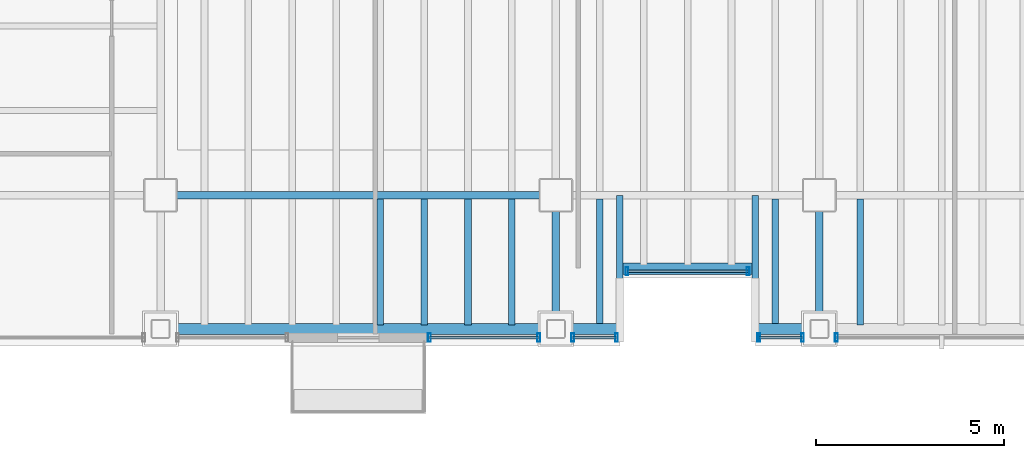
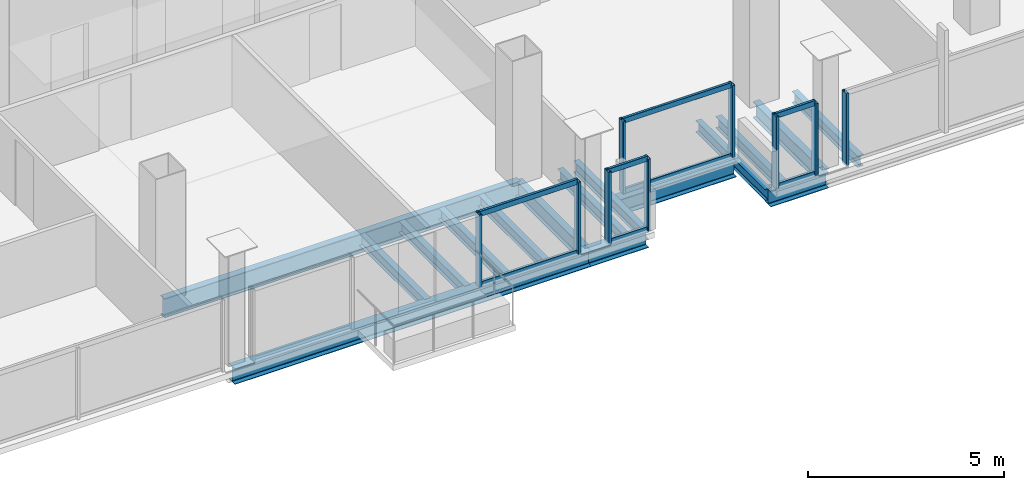
# One storey, part 4 of 19: 17 members, 16 beams, 5 elements without a shape of their own.
"""IFC4 building model written with IfcOpenShell, lengths in metres."""

from ifc_helpers import new_model, si_unit, direction, frame, origin, origin_2d, place, context, subcontext, project, spatial, hollow_rectangle, i_section, extrude, material, material_profile, profile_set, type_object, element, aggregate, save


model = new_model("IFC4")

# Units and contexts
model_context = context("Model", 3, precision=1e-05, world=origin(), true_north=direction((0.0, 1.0)))
body_context = subcontext(model_context, "Body", "Model", "MODEL_VIEW")
ifc_project = project(units=[si_unit("LENGTHUNIT", "METRE"), si_unit("AREAUNIT", "SQUARE_METRE"), si_unit("VOLUMEUNIT", "CUBIC_METRE"), si_unit("PLANEANGLEUNIT", "RADIAN"), si_unit("MASSUNIT", "GRAM", prefix="KILO")], contexts=[model_context])

# Site, building, storey
site_placement = place(None, origin())
site = spatial("IfcSite", under=ifc_project, at=site_placement, CompositionType="ELEMENT")
building_placement = place(site_placement, origin())
building = spatial("IfcBuilding", under=site, at=building_placement, Name="Noeulbin Bourse Tower", CompositionType="ELEMENT")
storey_placement = place(building_placement, frame((0.0, 0.0, 165.60009765625)))
storey = spatial("IfcBuildingStorey", under=building, at=storey_placement, Name="L41", CompositionType="ELEMENT", Elevation=165.60009765625)

# Beams
ifc_material_1 = material(Name="Steel S355", Category="steel")
ifc_material_profile_1 = material_profile(ifc_material_1, i_section(OverallWidth=0.199951171875, OverallDepth=0.5, WebThickness=0.010009765625, FlangeThickness=0.01611328125, FilletRadius=0.02001953125, at=origin_2d()), Name="H-500x200x10x16", Category="LoadBearing")
ifc_profile_set_1 = profile_set([ifc_material_profile_1], Name="Steel S355")
beam_type_1 = type_object("IfcBeamType", Name="BM-GRD-500", PredefinedType="USERDEFINED", material=ifc_profile_set_1)
for number, where, z_axis, x_axis, name in (
    (1, (24.0, 16.449951171875, -0.43017578125), (0.0, 1.0, 0.0), (-1.0, 0.0, 0.0), "Tower Primary Girder NS L41-2.1"),
    (2, (31.0, 16.449951171875, -0.43017578125), (0.0, 1.0, 0.0), (-1.0, 0.0, 0.0), "Tower Primary Girder NS L41-3.1"),
):
    element("IfcBeam", number, at=place(storey_placement, frame(where, z_axis=z_axis, x_axis=x_axis)), inside=storey, type_object=beam_type_1, Name=name, ObjectType="GIRDER", PredefinedType="USERDEFINED", context=body_context, shape_type="SweptSolid", body=[
        extrude(i_section(OverallWidth=0.199951171875, OverallDepth=0.5, WebThickness=0.010009765625, FlangeThickness=0.01611328125, FilletRadius=0.02001953125, at=origin_2d()), origin(), (0.0, 0.0, 1.0), 3.550048828125),
    ])
ifc_material_profile_2 = material_profile(ifc_material_1, i_section(OverallWidth=0.199951171875, OverallDepth=0.60009765625, WebThickness=0.010986328125, FlangeThickness=0.01708984375, FilletRadius=0.02197265625, at=origin_2d()), Name="H-600x200x11x17", Category="LoadBearing")
ifc_profile_set_2 = profile_set([ifc_material_profile_2], Name="Steel S355")
beam_type_2 = type_object("IfcBeamType", Name="BM-GRD-600", PredefinedType="USERDEFINED", material=ifc_profile_set_2)
beam_1_placement = place(storey_placement, frame((13.5, 20.0, -0.47998046875), z_axis=(1.0, 0.0, 0.0), x_axis=(0.0, 1.0, 0.0)))
element("IfcBeam", 3, at=beam_1_placement, inside=storey, type_object=beam_type_2, Name="Tower Primary Girder EW L41-1.2", ObjectType="GIRDER", PredefinedType="USERDEFINED", context=body_context, shape_type="SweptSolid", body=[
    extrude(i_section(OverallWidth=0.199951171875, OverallDepth=0.60009765625, WebThickness=0.010986328125, FlangeThickness=0.01708984375, FilletRadius=0.02197265625, at=origin_2d()), origin(), (0.0, 0.0, 1.0), 10.5),
])
ifc_material_profile_3 = material_profile(ifc_material_1, i_section(OverallWidth=0.175048828125, OverallDepth=0.35009765625, WebThickness=0.007080078125, FlangeThickness=0.010986328125, FilletRadius=0.013916015625, at=origin_2d()), Name="H-350x175x7x11", Category="LoadBearing")
ifc_profile_set_3 = profile_set([ifc_material_profile_3], Name="Steel S355")
beam_type_3 = type_object("IfcBeamType", Name="BM-JST-350", PredefinedType="JOIST", material=ifc_profile_set_3)
for number, where, z_axis, x_axis, name in (
    (4, (25.699951171875, 16.449951171875, -0.35498046875), (0.0, 1.0, 0.0), (-1.0, 0.0, 0.0), "BM-L41-SRT-W"),
    (5, (29.300048828125, 16.449951171875, -0.35498046875), (0.0, 1.0, 0.0), (-1.0, 0.0, 0.0), "BM-L41-SRT-E"),
):
    element("IfcBeam", number, at=place(storey_placement, frame(where, z_axis=z_axis, x_axis=x_axis)), inside=storey, type_object=beam_type_3, Name=name, PredefinedType="JOIST", context=body_context, shape_type="SweptSolid", body=[
        extrude(i_section(OverallWidth=0.175048828125, OverallDepth=0.35009765625, WebThickness=0.007080078125, FlangeThickness=0.010986328125, FilletRadius=0.013916015625, at=origin_2d()), origin(), (0.0, 0.0, 1.0), 3.550048828125),
    ])
for number, where, z_axis, x_axis, name in (
    (6, (19.333251953125, 16.550048828125, -0.35498046875), (0.0, 1.0, 0.0), (-1.0, 0.0, 0.0), "Tower Composite Joist L41-13"),
    (7, (20.5, 16.550048828125, -0.35498046875), (0.0, 1.0, 0.0), (-1.0, 0.0, 0.0), "Tower Composite Joist L41-16"),
    (8, (21.666748046875, 16.550048828125, -0.35498046875), (0.0, 1.0, 0.0), (-1.0, 0.0, 0.0), "Tower Composite Joist L41-19"),
    (9, (22.833251953125, 16.550048828125, -0.35498046875), (0.0, 1.0, 0.0), (-1.0, 0.0, 0.0), "Tower Composite Joist L41-22"),
    (10, (25.166748046875, 16.550048828125, -0.35498046875), (0.0, 1.0, 0.0), (-1.0, 0.0, 0.0), "Tower Composite Joist L41-25"),
    (11, (29.833251953125, 16.550048828125, -0.35498046875), (0.0, 1.0, 0.0), (-1.0, 0.0, 0.0), "Tower Composite Joist L41-37"),
    (12, (32.083251953125, 16.550048828125, -0.35498046875), (0.0, 1.0, 0.0), (-1.0, 0.0, 0.0), "Tower Composite Joist L41-40"),
):
    element("IfcBeam", number, at=place(storey_placement, frame(where, z_axis=z_axis, x_axis=x_axis)), inside=storey, type_object=beam_type_3, Name=name, PredefinedType="JOIST", context=body_context, shape_type="SweptSolid", body=[
        extrude(i_section(OverallWidth=0.175048828125, OverallDepth=0.35009765625, WebThickness=0.007080078125, FlangeThickness=0.010986328125, FilletRadius=0.013916015625, at=origin_2d()), origin(), (0.0, 0.0, 1.0), 3.349853515625),
    ])
ifc_material_profile_4 = material_profile(ifc_material_1, i_section(OverallWidth=0.300048828125, OverallDepth=0.488037109375, WebThickness=0.010986328125, FlangeThickness=0.01806640625, FilletRadius=0.02197265625, at=origin_2d()), Name="H-488x300x11x18", Category="LoadBearing")
ifc_profile_set_4 = profile_set([ifc_material_profile_4], Name="Steel S355")
beam_type_4 = type_object("IfcBeamType", Name="BM-SPN-488", PredefinedType="SPANDREL", material=ifc_profile_set_4)
beam_2_placement = place(storey_placement, frame((13.5, 16.449951171875, -0.424072265625), z_axis=(1.0, 0.0, 0.0), x_axis=(0.0, 1.0, 0.0)))
element("IfcBeam", 13, at=beam_2_placement, inside=storey, type_object=beam_type_4, Name="South Spandrel L41-1", PredefinedType="SPANDREL", context=body_context, shape_type="SweptSolid", body=[
    extrude(i_section(OverallWidth=0.300048828125, OverallDepth=0.488037109375, WebThickness=0.010986328125, FlangeThickness=0.01806640625, FilletRadius=0.02197265625, at=origin_2d()), origin(), (0.0, 0.0, 1.0), 10.5),
])
beam_3_placement = place(storey_placement, frame((25.78759765625, 18.050048828125, -0.424072265625), z_axis=(1.0, 0.0, 0.0), x_axis=(0.0, 1.0, 0.0)))
element("IfcBeam", 14, at=beam_3_placement, inside=storey, type_object=beam_type_4, Name="South Recess Spandrel L41-2B", PredefinedType="SPANDREL", context=body_context, shape_type="SweptSolid", body=[
    extrude(i_section(OverallWidth=0.300048828125, OverallDepth=0.488037109375, WebThickness=0.010986328125, FlangeThickness=0.01806640625, FilletRadius=0.02197265625, at=origin_2d()), origin(), (0.0, 0.0, 1.0), 3.4248046875),
])
for number, where, z_axis, x_axis, name in (
    (15, (24.0, 16.449951171875, -0.424072265625), (1.0, 0.0, 0.0), (0.0, 1.0, 0.0), "South Spandrel L41-2A"),
    (16, (29.300048828125, 16.449951171875, -0.424072265625), (1.0, 0.0, 0.0), (0.0, 1.0, 0.0), "South Spandrel L41-2C"),
):
    element("IfcBeam", number, at=place(storey_placement, frame(where, z_axis=z_axis, x_axis=x_axis)), inside=storey, type_object=beam_type_4, Name=name, PredefinedType="SPANDREL", context=body_context, shape_type="SweptSolid", body=[
        extrude(i_section(OverallWidth=0.300048828125, OverallDepth=0.488037109375, WebThickness=0.010986328125, FlangeThickness=0.01806640625, FilletRadius=0.02197265625, at=origin_2d()), origin(), (0.0, 0.0, 1.0), 1.699951171875),
    ])

# Curtain wall, members
ifc_material_2 = material(Name="Dark Tinted Triple Glazing", Category="glass")
curtain_wall_type = type_object("IfcCurtainWallType", Name="CW-SYS-3", PredefinedType="NOTDEFINED", material=ifc_material_2)
curtain_wall_1_placement = place(storey_placement, origin())
curtain_wall_1 = element("IfcCurtainWall", 17, at=curtain_wall_1_placement, inside=storey, type_object=curtain_wall_type, Name="Unitised Curtain Wall CW-L41-SREC", PredefinedType="NOTDEFINED")
ifc_material_3 = material(Name="Anodised Aluminium 6063-T6", Category="aluminium")
ifc_material_profile_5 = material_profile(ifc_material_3, hollow_rectangle(XDim=0.074951171875, YDim=0.219970703125, WallThickness=0.0048828125, InnerFilletRadius=0.00244140625, OuterFilletRadius=0.0048828125, at=origin_2d()), Name="ALU-MULL-75x220x5", Category="LoadBearing")
ifc_profile_set_5 = profile_set([ifc_material_profile_5], Name="Anodised Aluminium 6063-T6")
member_type_1 = type_object("IfcMemberType", Name="CW-SYS-3-MUL", PredefinedType="MULLION", material=ifc_profile_set_5)
member_1_placement = place(storey_placement, frame((25.889892578125, 17.97998046875, -0.02001953125), z_axis=(0.0, 0.0, 1.0), x_axis=(1.0, 0.0, 0.0)))
member_1 = element("IfcMember", 18, at=member_1_placement, type_object=member_type_1, Name="Curtain Wall Mullion CW-L41-SREC-M00", PredefinedType="MULLION", context=body_context, shape_type="SweptSolid", body=[
    extrude(hollow_rectangle(XDim=0.074951171875, YDim=0.219970703125, WallThickness=0.0048828125, InnerFilletRadius=0.00244140625, OuterFilletRadius=0.0048828125, at=origin_2d()), origin(), (0.0, 0.0, 1.0), 2.260009765625),
])
member_2_placement = place(storey_placement, frame((29.110107421875, 17.97998046875, -0.02001953125), z_axis=(0.0, 0.0, 1.0), x_axis=(1.0, 0.0, 0.0)))
member_2 = element("IfcMember", 19, at=member_2_placement, type_object=member_type_1, Name="Curtain Wall Mullion CW-L41-SREC-M01", PredefinedType="MULLION", context=body_context, shape_type="SweptSolid", body=[
    extrude(hollow_rectangle(XDim=0.074951171875, YDim=0.219970703125, WallThickness=0.0048828125, InnerFilletRadius=0.00244140625, OuterFilletRadius=0.0048828125, at=origin_2d()), origin(), (0.0, 0.0, 1.0), 2.260009765625),
])

curtain_wall_2_placement = place(storey_placement, origin())
curtain_wall_2 = element("IfcCurtainWall", 20, at=curtain_wall_2_placement, inside=storey, type_object=curtain_wall_type, Name="Unitised Curtain Wall CW-L41-S2-S1", PredefinedType="NOTDEFINED")
member_3_placement = place(storey_placement, frame((20.639892578125, 16.219970703125, -0.02001953125), z_axis=(0.0, 0.0, 1.0), x_axis=(1.0, 0.0, 0.0)))
member_3 = element("IfcMember", 21, at=member_3_placement, type_object=member_type_1, Name="Curtain Wall Mullion CW-L41-S2-S1-M00", PredefinedType="MULLION", context=body_context, shape_type="SweptSolid", body=[
    extrude(hollow_rectangle(XDim=0.074951171875, YDim=0.219970703125, WallThickness=0.0048828125, InnerFilletRadius=0.00244140625, OuterFilletRadius=0.0048828125, at=origin_2d()), origin(), (0.0, 0.0, 1.0), 2.260009765625),
])
member_4_placement = place(storey_placement, frame((23.550048828125, 16.219970703125, -0.02001953125), z_axis=(0.0, 0.0, 1.0), x_axis=(1.0, 0.0, 0.0)))
member_4 = element("IfcMember", 22, at=member_4_placement, type_object=member_type_1, Name="Curtain Wall Mullion CW-L41-S2-S1-M01", PredefinedType="MULLION", context=body_context, shape_type="SweptSolid", body=[
    extrude(hollow_rectangle(XDim=0.074951171875, YDim=0.219970703125, WallThickness=0.0048828125, InnerFilletRadius=0.00244140625, OuterFilletRadius=0.0048828125, at=origin_2d()), origin(), (0.0, 0.0, 1.0), 2.260009765625),
])

curtain_wall_3_placement = place(storey_placement, origin())
curtain_wall_3 = element("IfcCurtainWall", 23, at=curtain_wall_3_placement, inside=storey, type_object=curtain_wall_type, Name="Unitised Curtain Wall CW-L41-S2-S2", PredefinedType="NOTDEFINED")
member_5_placement = place(storey_placement, frame((24.449951171875, 16.219970703125, -0.02001953125), z_axis=(0.0, 0.0, 1.0), x_axis=(1.0, 0.0, 0.0)))
member_5 = element("IfcMember", 24, at=member_5_placement, type_object=member_type_1, Name="Curtain Wall Mullion CW-L41-S2-S2-M00", PredefinedType="MULLION", context=body_context, shape_type="SweptSolid", body=[
    extrude(hollow_rectangle(XDim=0.074951171875, YDim=0.219970703125, WallThickness=0.0048828125, InnerFilletRadius=0.00244140625, OuterFilletRadius=0.0048828125, at=origin_2d()), origin(), (0.0, 0.0, 1.0), 2.260009765625),
])
member_6_placement = place(storey_placement, frame((25.610107421875, 16.219970703125, -0.02001953125), z_axis=(0.0, 0.0, 1.0), x_axis=(1.0, 0.0, 0.0)))
member_6 = element("IfcMember", 25, at=member_6_placement, type_object=member_type_1, Name="Curtain Wall Mullion CW-L41-S2-S2-M01", PredefinedType="MULLION", context=body_context, shape_type="SweptSolid", body=[
    extrude(hollow_rectangle(XDim=0.074951171875, YDim=0.219970703125, WallThickness=0.0048828125, InnerFilletRadius=0.00244140625, OuterFilletRadius=0.0048828125, at=origin_2d()), origin(), (0.0, 0.0, 1.0), 2.260009765625),
])

curtain_wall_4_placement = place(storey_placement, origin())
curtain_wall_4 = element("IfcCurtainWall", 26, at=curtain_wall_4_placement, inside=storey, type_object=curtain_wall_type, Name="Unitised Curtain Wall CW-L41-S3-S1", PredefinedType="NOTDEFINED")
member_7_placement = place(storey_placement, frame((29.389892578125, 16.219970703125, -0.02001953125), z_axis=(0.0, 0.0, 1.0), x_axis=(1.0, 0.0, 0.0)))
member_7 = element("IfcMember", 27, at=member_7_placement, type_object=member_type_1, Name="Curtain Wall Mullion CW-L41-S3-S1-M00", PredefinedType="MULLION", context=body_context, shape_type="SweptSolid", body=[
    extrude(hollow_rectangle(XDim=0.074951171875, YDim=0.219970703125, WallThickness=0.0048828125, InnerFilletRadius=0.00244140625, OuterFilletRadius=0.0048828125, at=origin_2d()), origin(), (0.0, 0.0, 1.0), 2.260009765625),
])
member_8_placement = place(storey_placement, frame((30.550048828125, 16.219970703125, -0.02001953125), z_axis=(0.0, 0.0, 1.0), x_axis=(1.0, 0.0, 0.0)))
member_8 = element("IfcMember", 28, at=member_8_placement, type_object=member_type_1, Name="Curtain Wall Mullion CW-L41-S3-S1-M01", PredefinedType="MULLION", context=body_context, shape_type="SweptSolid", body=[
    extrude(hollow_rectangle(XDim=0.074951171875, YDim=0.219970703125, WallThickness=0.0048828125, InnerFilletRadius=0.00244140625, OuterFilletRadius=0.0048828125, at=origin_2d()), origin(), (0.0, 0.0, 1.0), 2.260009765625),
])

# Curtain wall, member
curtain_wall_5_placement = place(storey_placement, origin())
curtain_wall_5 = element("IfcCurtainWall", 29, at=curtain_wall_5_placement, inside=storey, type_object=curtain_wall_type, Name="Unitised Curtain Wall CW-L41-S3-S2", PredefinedType="NOTDEFINED")
member_9_placement = place(storey_placement, frame((31.449951171875, 16.219970703125, -0.02001953125), z_axis=(0.0, 0.0, 1.0), x_axis=(1.0, 0.0, 0.0)))
member_9 = element("IfcMember", 30, at=member_9_placement, type_object=member_type_1, Name="Curtain Wall Mullion CW-L41-S3-S2-M00", PredefinedType="MULLION", context=body_context, shape_type="SweptSolid", body=[
    extrude(hollow_rectangle(XDim=0.074951171875, YDim=0.219970703125, WallThickness=0.0048828125, InnerFilletRadius=0.00244140625, OuterFilletRadius=0.0048828125, at=origin_2d()), origin(), (0.0, 0.0, 1.0), 2.260009765625),
])
aggregate(curtain_wall_5, [member_9])

# Member
ifc_material_profile_6 = material_profile(ifc_material_3, hollow_rectangle(XDim=0.074951171875, YDim=0.159912109375, WallThickness=0.0048828125, InnerFilletRadius=0.00244140625, OuterFilletRadius=0.0048828125, at=origin_2d()), Name="ALU-TRAN-75x160x5", Category="LoadBearing")
ifc_profile_set_6 = profile_set([ifc_material_profile_6], Name="Anodised Aluminium 6063-T6")
member_type_2 = type_object("IfcMemberType", Name="CW-SYS-3-TRN", PredefinedType="USERDEFINED", material=ifc_profile_set_6)
member_10_placement = place(storey_placement, frame((25.89990234375, 17.97998046875, 0.010009765625), z_axis=(1.0, 0.0, 0.0), x_axis=(0.0, 1.0, 0.0)))
member_10 = element("IfcMember", 31, at=member_10_placement, type_object=member_type_2, Name="Curtain Wall Transom CW-L41-SREC-T00", ObjectType="TRANSOM", PredefinedType="USERDEFINED", context=body_context, shape_type="SweptSolid", body=[
    extrude(hollow_rectangle(XDim=0.074951171875, YDim=0.159912109375, WallThickness=0.0048828125, InnerFilletRadius=0.00244140625, OuterFilletRadius=0.0048828125, at=origin_2d()), origin(), (0.0, 0.0, 1.0), 3.2001953125),
])

member_11_placement = place(storey_placement, frame((25.89990234375, 17.97998046875, 2.2099609375), z_axis=(1.0, 0.0, 0.0), x_axis=(0.0, 1.0, 0.0)))
member_11 = element("IfcMember", 32, at=member_11_placement, type_object=member_type_2, Name="Curtain Wall Transom CW-L41-SREC-T01", ObjectType="TRANSOM", PredefinedType="USERDEFINED", context=body_context, shape_type="SweptSolid", body=[
    extrude(hollow_rectangle(XDim=0.074951171875, YDim=0.159912109375, WallThickness=0.0048828125, InnerFilletRadius=0.00244140625, OuterFilletRadius=0.0048828125, at=origin_2d()), origin(), (0.0, 0.0, 1.0), 3.2001953125),
])

aggregate(curtain_wall_1, [member_1, member_2, member_10, member_11])

member_12_placement = place(storey_placement, frame((20.64990234375, 16.219970703125, 0.010009765625), z_axis=(1.0, 0.0, 0.0), x_axis=(0.0, 1.0, 0.0)))
member_12 = element("IfcMember", 33, at=member_12_placement, type_object=member_type_2, Name="Curtain Wall Transom CW-L41-S2-S1-T00", ObjectType="TRANSOM", PredefinedType="USERDEFINED", context=body_context, shape_type="SweptSolid", body=[
    extrude(hollow_rectangle(XDim=0.074951171875, YDim=0.159912109375, WallThickness=0.0048828125, InnerFilletRadius=0.00244140625, OuterFilletRadius=0.0048828125, at=origin_2d()), origin(), (0.0, 0.0, 1.0), 2.89013671875),
])

member_13_placement = place(storey_placement, frame((20.64990234375, 16.219970703125, 2.2099609375), z_axis=(1.0, 0.0, 0.0), x_axis=(0.0, 1.0, 0.0)))
member_13 = element("IfcMember", 34, at=member_13_placement, type_object=member_type_2, Name="Curtain Wall Transom CW-L41-S2-S1-T01", ObjectType="TRANSOM", PredefinedType="USERDEFINED", context=body_context, shape_type="SweptSolid", body=[
    extrude(hollow_rectangle(XDim=0.074951171875, YDim=0.159912109375, WallThickness=0.0048828125, InnerFilletRadius=0.00244140625, OuterFilletRadius=0.0048828125, at=origin_2d()), origin(), (0.0, 0.0, 1.0), 2.89013671875),
])

aggregate(curtain_wall_2, [member_3, member_4, member_12, member_13])

member_14_placement = place(storey_placement, frame((24.4599609375, 16.219970703125, 0.010009765625), z_axis=(1.0, 0.0, 0.0), x_axis=(0.0, 1.0, 0.0)))
member_14 = element("IfcMember", 35, at=member_14_placement, type_object=member_type_2, Name="Curtain Wall Transom CW-L41-S2-S2-T00", ObjectType="TRANSOM", PredefinedType="USERDEFINED", context=body_context, shape_type="SweptSolid", body=[
    extrude(hollow_rectangle(XDim=0.074951171875, YDim=0.159912109375, WallThickness=0.0048828125, InnerFilletRadius=0.00244140625, OuterFilletRadius=0.0048828125, at=origin_2d()), origin(), (0.0, 0.0, 1.0), 1.14013671875),
])

member_15_placement = place(storey_placement, frame((24.4599609375, 16.219970703125, 2.2099609375), z_axis=(1.0, 0.0, 0.0), x_axis=(0.0, 1.0, 0.0)))
member_15 = element("IfcMember", 36, at=member_15_placement, type_object=member_type_2, Name="Curtain Wall Transom CW-L41-S2-S2-T01", ObjectType="TRANSOM", PredefinedType="USERDEFINED", context=body_context, shape_type="SweptSolid", body=[
    extrude(hollow_rectangle(XDim=0.074951171875, YDim=0.159912109375, WallThickness=0.0048828125, InnerFilletRadius=0.00244140625, OuterFilletRadius=0.0048828125, at=origin_2d()), origin(), (0.0, 0.0, 1.0), 1.14013671875),
])

aggregate(curtain_wall_3, [member_5, member_6, member_14, member_15])

member_16_placement = place(storey_placement, frame((29.39990234375, 16.219970703125, 0.010009765625), z_axis=(1.0, 0.0, 0.0), x_axis=(0.0, 1.0, 0.0)))
member_16 = element("IfcMember", 37, at=member_16_placement, type_object=member_type_2, Name="Curtain Wall Transom CW-L41-S3-S1-T00", ObjectType="TRANSOM", PredefinedType="USERDEFINED", context=body_context, shape_type="SweptSolid", body=[
    extrude(hollow_rectangle(XDim=0.074951171875, YDim=0.159912109375, WallThickness=0.0048828125, InnerFilletRadius=0.00244140625, OuterFilletRadius=0.0048828125, at=origin_2d()), origin(), (0.0, 0.0, 1.0), 1.14013671875),
])

member_17_placement = place(storey_placement, frame((29.39990234375, 16.219970703125, 2.2099609375), z_axis=(1.0, 0.0, 0.0), x_axis=(0.0, 1.0, 0.0)))
member_17 = element("IfcMember", 38, at=member_17_placement, type_object=member_type_2, Name="Curtain Wall Transom CW-L41-S3-S1-T01", ObjectType="TRANSOM", PredefinedType="USERDEFINED", context=body_context, shape_type="SweptSolid", body=[
    extrude(hollow_rectangle(XDim=0.074951171875, YDim=0.159912109375, WallThickness=0.0048828125, InnerFilletRadius=0.00244140625, OuterFilletRadius=0.0048828125, at=origin_2d()), origin(), (0.0, 0.0, 1.0), 1.14013671875),
])

aggregate(curtain_wall_4, [member_7, member_8, member_16, member_17])

save(model, "model.ifc")
